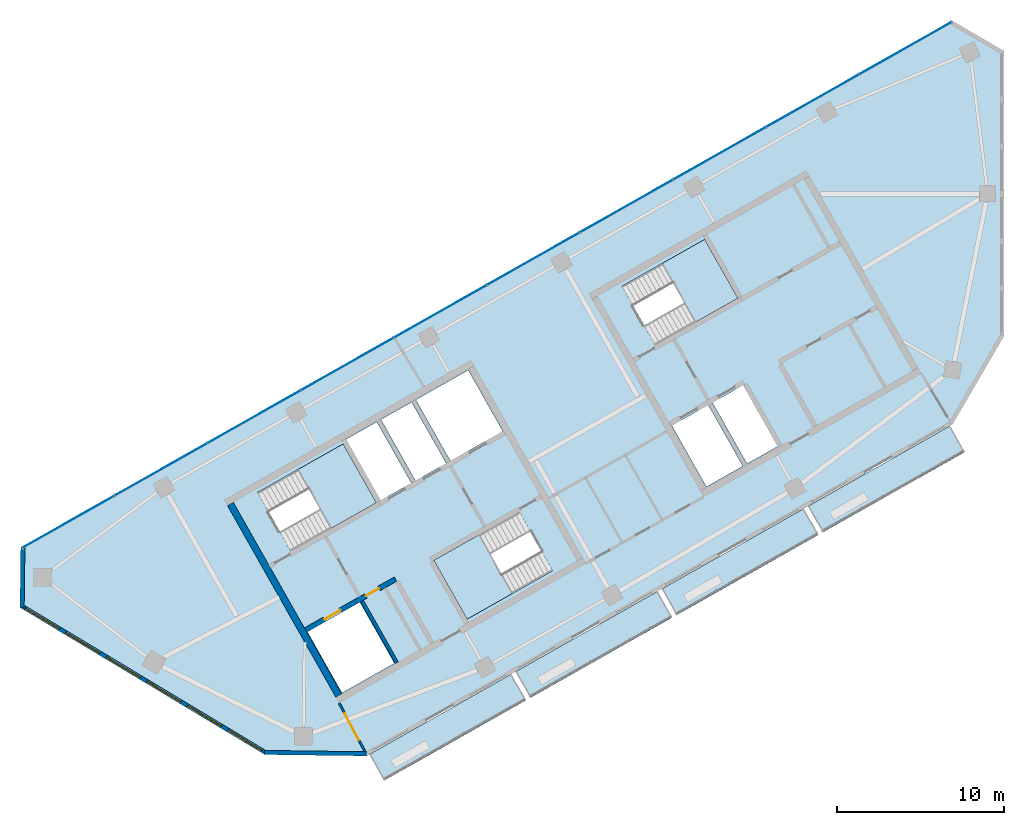
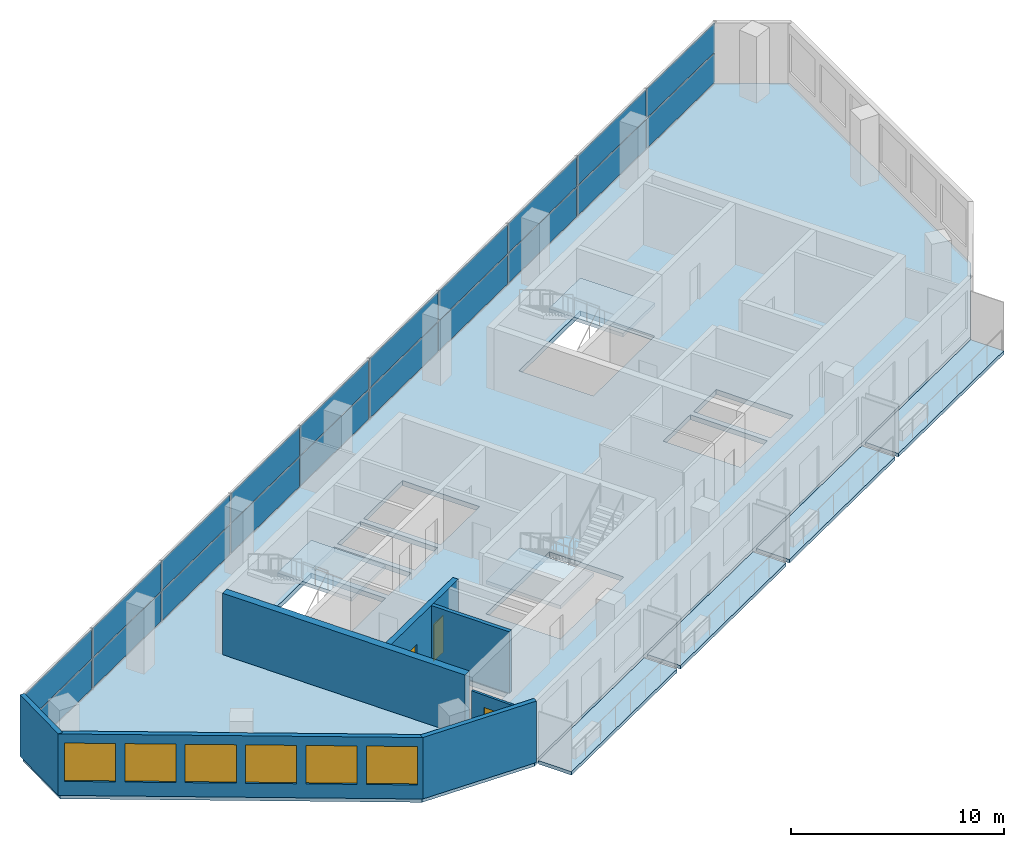
# One storey, part 5 of 10: 20 plates, 8 slabs, 7 walls, 6 windows, 3 doors, 9 openings, 4 elements without a shape of their own.
"""IFC4 building model written with IfcOpenShell, lengths in metres."""

from ifc_helpers import new_model, si_unit, direction, frame, frame_2d, origin, origin_2d, place, context, subcontext, project, spatial, polyline, rectangle, outline, extrude, material, layer, layer_set, type_object, element, fill, aggregate, save


model = new_model("IFC4")

# Units and contexts
model_context = context("Model", 3, precision=1e-05, world=origin(), true_north=direction((0.0, 1.0)))
body_context = subcontext(model_context, "Body", "Model", "MODEL_VIEW")
ifc_project = project(units=[si_unit("LENGTHUNIT", "METRE"), si_unit("AREAUNIT", "SQUARE_METRE"), si_unit("VOLUMEUNIT", "CUBIC_METRE"), si_unit("PLANEANGLEUNIT", "RADIAN"), si_unit("MASSUNIT", "GRAM", prefix="KILO")], contexts=[model_context])

# Site, building, storey
site_placement = place(None, origin())
site = spatial("IfcSite", under=ifc_project, at=site_placement, CompositionType="ELEMENT")
building_placement = place(site_placement, origin())
building = spatial("IfcBuilding", under=site, at=building_placement, Name="Binnacle Exchange Tower", CompositionType="ELEMENT")
storey_placement = place(building_placement, frame((0.0, 0.0, 327.89990234375)))
storey = spatial("IfcBuildingStorey", under=building, at=storey_placement, Name="L74", CompositionType="ELEMENT", Elevation=327.89990234375)

# Slabs
ifc_material_1 = material(Name="Concrete C35/45", Category="concrete")
ifc_layer_1 = layer(ifc_material_1, 0.199951171875)
ifc_layer_set_1 = layer_set([ifc_layer_1], Name="BALCONY SLAB 200")
slab_type_1 = type_object("IfcSlabType", Name="BALCONY SLAB 200", PredefinedType="FLOOR", material=ifc_layer_set_1)
slab_1_placement = place(storey_placement, frame((0.0, 0.0, -0.199951171875)))
element("IfcSlab", 1, at=slab_1_placement, inside=storey, type_object=slab_type_1, Name="Balcony BA-H07-00 L74", PredefinedType="FLOOR", context=body_context, shape_type="SweptSolid", body=[
    extrude(outline(polyline([(-37.90576171875, 26.410400390625), (-29.40380859375, 31.220458984375), (-28.517578125, 29.65380859375), (-37.019287109375, 24.84375), (-37.90576171875, 26.410400390625)])), origin(), (0.0, 0.0, 1.0), 0.199951171875),
])
slab_2_placement = place(storey_placement, frame((0.0, 0.0, -0.199951171875)))
element("IfcSlab", 2, at=slab_2_placement, inside=storey, type_object=slab_type_1, Name="Balcony BA-H07-01 L74", PredefinedType="FLOOR", context=body_context, shape_type="SweptSolid", body=[
    extrude(outline(polyline([(-29.142822265625, 31.3681640625), (-20.64111328125, 36.17822265625), (-19.754638671875, 34.611572265625), (-28.25634765625, 29.801513671875), (-29.142822265625, 31.3681640625)])), origin(), (0.0, 0.0, 1.0), 0.199951171875),
])
slab_3_placement = place(storey_placement, frame((0.0, 0.0, -0.199951171875)))
element("IfcSlab", 3, at=slab_3_placement, inside=storey, type_object=slab_type_1, Name="Balcony BA-H07-02 L74", PredefinedType="FLOOR", context=body_context, shape_type="SweptSolid", body=[
    extrude(outline(polyline([(-20.3798828125, 36.325927734375), (-11.878173828125, 41.135986328125), (-10.99169921875, 39.5693359375), (-19.493408203125, 34.759521484375), (-20.3798828125, 36.325927734375)])), origin(), (0.0, 0.0, 1.0), 0.199951171875),
])
slab_4_placement = place(storey_placement, frame((0.0, 0.0, -0.199951171875)))
element("IfcSlab", 4, at=slab_4_placement, inside=storey, type_object=slab_type_1, Name="Balcony BA-H07-03 L74", PredefinedType="FLOOR", context=body_context, shape_type="SweptSolid", body=[
    extrude(outline(polyline([(-11.616943359375, 41.28369140625), (-3.115234375, 46.093994140625), (-2.22900390625, 44.527099609375), (-10.730712890625, 39.717041015625), (-11.616943359375, 41.28369140625)])), origin(), (0.0, 0.0, 1.0), 0.199951171875),
])

# Curtain wall, plates
ifc_material_2 = material(Name="Bronze anodised aluminium frame", Category="aluminium")
curtain_wall_type = type_object("IfcCurtainWallType", Name="External wall - curtain wall executive floors", PredefinedType="NOTDEFINED", material=ifc_material_2)
curtain_wall_placement = place(storey_placement, origin())
curtain_wall = element("IfcCurtainWall", 5, at=curtain_wall_placement, inside=storey, type_object=curtain_wall_type, Name="External wall curtain wall CW4-H03 L74", PredefinedType="NOTDEFINED")
ifc_material_3 = material(Name="Glass", Category="glass")
ifc_layer_2 = layer(ifc_material_3, 0.031982421875)
ifc_layer_set_2 = layer_set([ifc_layer_2], Name="CW4 GLASS PANEL 32")
plate_type = type_object("IfcPlateType", Name="CW4 GLASS PANEL 32", PredefinedType="CURTAIN_PANEL", material=ifc_layer_set_2)
plate_1_placement = place(storey_placement, frame((-5.786376953125, 68.72607421875, 0.050048828125), z_axis=(0.0, 0.0, 1.0), x_axis=(-0.870355581136, -0.492423763019, 0.0)))
plate_1 = element("IfcPlate", 6, at=plate_1_placement, type_object=plate_type, Name="CW4-H03 panel 1.1", PredefinedType="CURTAIN_PANEL", context=body_context, shape_type="SweptSolid", body=[
    extrude(rectangle(XDim=6.30029296875, YDim=0.031982421875, at=origin_2d()), origin(), (0.0, 0.0, 1.0), 1.68505859375),
])
plate_2_placement = place(storey_placement, frame((-5.786376953125, 68.72607421875, 1.78515625), z_axis=(0.0, 0.0, 1.0), x_axis=(-0.870355581136, -0.492423763019, 0.0)))
plate_2 = element("IfcPlate", 7, at=plate_2_placement, type_object=plate_type, Name="CW4-H03 panel 1.2", PredefinedType="CURTAIN_PANEL", context=body_context, shape_type="SweptSolid", body=[
    extrude(rectangle(XDim=6.30029296875, YDim=0.031982421875, at=origin_2d()), origin(), (0.0, 0.0, 1.0), 1.68505859375),
])
plate_3_placement = place(storey_placement, frame((-11.345947265625, 65.580810546875, 0.050048828125), z_axis=(0.0, 0.0, 1.0), x_axis=(-0.870355581136, -0.492423763019, 0.0)))
plate_3 = element("IfcPlate", 8, at=plate_3_placement, type_object=plate_type, Name="CW4-H03 panel 2.1", PredefinedType="CURTAIN_PANEL", context=body_context, shape_type="SweptSolid", body=[
    extrude(rectangle(XDim=6.335205078125, YDim=0.031982421875, at=origin_2d()), origin(), (0.0, 0.0, 1.0), 1.68505859375),
])
plate_4_placement = place(storey_placement, frame((-11.345947265625, 65.580810546875, 1.78515625), z_axis=(0.0, 0.0, 1.0), x_axis=(-0.870355581136, -0.492423763019, 0.0)))
plate_4 = element("IfcPlate", 9, at=plate_4_placement, type_object=plate_type, Name="CW4-H03 panel 2.2", PredefinedType="CURTAIN_PANEL", context=body_context, shape_type="SweptSolid", body=[
    extrude(rectangle(XDim=6.335205078125, YDim=0.031982421875, at=origin_2d()), origin(), (0.0, 0.0, 1.0), 1.68505859375),
])
plate_5_placement = place(storey_placement, frame((-16.9208984375, 62.426513671875, 0.050048828125), z_axis=(0.0, 0.0, 1.0), x_axis=(-0.870355581136, -0.492423763019, 0.0)))
plate_5 = element("IfcPlate", 10, at=plate_5_placement, type_object=plate_type, Name="CW4-H03 panel 3.1", PredefinedType="CURTAIN_PANEL", context=body_context, shape_type="SweptSolid", body=[
    extrude(rectangle(XDim=6.335205078125, YDim=0.031982421875, at=origin_2d()), origin(), (0.0, 0.0, 1.0), 1.68505859375),
])
plate_6_placement = place(storey_placement, frame((-16.9208984375, 62.426513671875, 1.78515625), z_axis=(0.0, 0.0, 1.0), x_axis=(-0.870355581136, -0.492423763019, 0.0)))
plate_6 = element("IfcPlate", 11, at=plate_6_placement, type_object=plate_type, Name="CW4-H03 panel 3.2", PredefinedType="CURTAIN_PANEL", context=body_context, shape_type="SweptSolid", body=[
    extrude(rectangle(XDim=6.335205078125, YDim=0.031982421875, at=origin_2d()), origin(), (0.0, 0.0, 1.0), 1.68505859375),
])
plate_7_placement = place(storey_placement, frame((-22.49560546875, 59.2724609375, 0.050048828125), z_axis=(0.0, 0.0, 1.0), x_axis=(-0.870355581136, -0.492423763019, 0.0)))
plate_7 = element("IfcPlate", 12, at=plate_7_placement, type_object=plate_type, Name="CW4-H03 panel 4.1", PredefinedType="CURTAIN_PANEL", context=body_context, shape_type="SweptSolid", body=[
    extrude(rectangle(XDim=6.335205078125, YDim=0.031982421875, at=origin_2d()), origin(), (0.0, 0.0, 1.0), 1.68505859375),
])
plate_8_placement = place(storey_placement, frame((-22.49560546875, 59.2724609375, 1.78515625), z_axis=(0.0, 0.0, 1.0), x_axis=(-0.870355581136, -0.492423763019, 0.0)))
plate_8 = element("IfcPlate", 13, at=plate_8_placement, type_object=plate_type, Name="CW4-H03 panel 4.2", PredefinedType="CURTAIN_PANEL", context=body_context, shape_type="SweptSolid", body=[
    extrude(rectangle(XDim=6.335205078125, YDim=0.031982421875, at=origin_2d()), origin(), (0.0, 0.0, 1.0), 1.68505859375),
])
plate_9_placement = place(storey_placement, frame((-28.070556640625, 56.118408203125, 0.050048828125), z_axis=(0.0, 0.0, 1.0), x_axis=(-0.870355581136, -0.492423763019, 0.0)))
plate_9 = element("IfcPlate", 14, at=plate_9_placement, type_object=plate_type, Name="CW4-H03 panel 5.1", PredefinedType="CURTAIN_PANEL", context=body_context, shape_type="SweptSolid", body=[
    extrude(rectangle(XDim=6.335205078125, YDim=0.031982421875, at=origin_2d()), origin(), (0.0, 0.0, 1.0), 1.68505859375),
])
plate_10_placement = place(storey_placement, frame((-28.070556640625, 56.118408203125, 1.78515625), z_axis=(0.0, 0.0, 1.0), x_axis=(-0.870355581136, -0.492423763019, 0.0)))
plate_10 = element("IfcPlate", 15, at=plate_10_placement, type_object=plate_type, Name="CW4-H03 panel 5.2", PredefinedType="CURTAIN_PANEL", context=body_context, shape_type="SweptSolid", body=[
    extrude(rectangle(XDim=6.335205078125, YDim=0.031982421875, at=origin_2d()), origin(), (0.0, 0.0, 1.0), 1.68505859375),
])
plate_11_placement = place(storey_placement, frame((-33.6455078125, 52.96435546875, 0.050048828125), z_axis=(0.0, 0.0, 1.0), x_axis=(-0.870355581136, -0.492423763019, 0.0)))
plate_11 = element("IfcPlate", 16, at=plate_11_placement, type_object=plate_type, Name="CW4-H03 panel 6.1", PredefinedType="CURTAIN_PANEL", context=body_context, shape_type="SweptSolid", body=[
    extrude(rectangle(XDim=6.335205078125, YDim=0.031982421875, at=origin_2d()), origin(), (0.0, 0.0, 1.0), 1.68505859375),
])
plate_12_placement = place(storey_placement, frame((-33.6455078125, 52.96435546875, 1.78515625), z_axis=(0.0, 0.0, 1.0), x_axis=(-0.870355581136, -0.492423763019, 0.0)))
plate_12 = element("IfcPlate", 17, at=plate_12_placement, type_object=plate_type, Name="CW4-H03 panel 6.2", PredefinedType="CURTAIN_PANEL", context=body_context, shape_type="SweptSolid", body=[
    extrude(rectangle(XDim=6.335205078125, YDim=0.031982421875, at=origin_2d()), origin(), (0.0, 0.0, 1.0), 1.68505859375),
])
plate_13_placement = place(storey_placement, frame((-39.22021484375, 49.810302734375, 0.050048828125), z_axis=(0.0, 0.0, 1.0), x_axis=(-0.870355581136, -0.492423763019, 0.0)))
plate_13 = element("IfcPlate", 18, at=plate_13_placement, type_object=plate_type, Name="CW4-H03 panel 7.1", PredefinedType="CURTAIN_PANEL", context=body_context, shape_type="SweptSolid", body=[
    extrude(rectangle(XDim=6.335205078125, YDim=0.031982421875, at=origin_2d()), origin(), (0.0, 0.0, 1.0), 1.68505859375),
])
plate_14_placement = place(storey_placement, frame((-39.22021484375, 49.810302734375, 1.78515625), z_axis=(0.0, 0.0, 1.0), x_axis=(-0.870355581136, -0.492423763019, 0.0)))
plate_14 = element("IfcPlate", 19, at=plate_14_placement, type_object=plate_type, Name="CW4-H03 panel 7.2", PredefinedType="CURTAIN_PANEL", context=body_context, shape_type="SweptSolid", body=[
    extrude(rectangle(XDim=6.335205078125, YDim=0.031982421875, at=origin_2d()), origin(), (0.0, 0.0, 1.0), 1.68505859375),
])
plate_15_placement = place(storey_placement, frame((-44.795166015625, 46.656005859375, 0.050048828125), z_axis=(0.0, 0.0, 1.0), x_axis=(-0.870355581136, -0.492423763019, 0.0)))
plate_15 = element("IfcPlate", 20, at=plate_15_placement, type_object=plate_type, Name="CW4-H03 panel 8.1", PredefinedType="CURTAIN_PANEL", context=body_context, shape_type="SweptSolid", body=[
    extrude(rectangle(XDim=6.335205078125, YDim=0.031982421875, at=origin_2d()), origin(), (0.0, 0.0, 1.0), 1.68505859375),
])
plate_16_placement = place(storey_placement, frame((-44.795166015625, 46.656005859375, 1.78515625), z_axis=(0.0, 0.0, 1.0), x_axis=(-0.870355581136, -0.492423763019, 0.0)))
plate_16 = element("IfcPlate", 21, at=plate_16_placement, type_object=plate_type, Name="CW4-H03 panel 8.2", PredefinedType="CURTAIN_PANEL", context=body_context, shape_type="SweptSolid", body=[
    extrude(rectangle(XDim=6.335205078125, YDim=0.031982421875, at=origin_2d()), origin(), (0.0, 0.0, 1.0), 1.68505859375),
])
plate_17_placement = place(storey_placement, frame((-50.369873046875, 43.501953125, 0.050048828125), z_axis=(0.0, 0.0, 1.0), x_axis=(-0.870355581136, -0.492423763019, 0.0)))
plate_17 = element("IfcPlate", 22, at=plate_17_placement, type_object=plate_type, Name="CW4-H03 panel 9.1", PredefinedType="CURTAIN_PANEL", context=body_context, shape_type="SweptSolid", body=[
    extrude(rectangle(XDim=6.335205078125, YDim=0.031982421875, at=origin_2d()), origin(), (0.0, 0.0, 1.0), 1.68505859375),
])
plate_18_placement = place(storey_placement, frame((-50.369873046875, 43.501953125, 1.78515625), z_axis=(0.0, 0.0, 1.0), x_axis=(-0.870355581136, -0.492423763019, 0.0)))
plate_18 = element("IfcPlate", 23, at=plate_18_placement, type_object=plate_type, Name="CW4-H03 panel 9.2", PredefinedType="CURTAIN_PANEL", context=body_context, shape_type="SweptSolid", body=[
    extrude(rectangle(XDim=6.335205078125, YDim=0.031982421875, at=origin_2d()), origin(), (0.0, 0.0, 1.0), 1.68505859375),
])
plate_19_placement = place(storey_placement, frame((-55.9296875, 40.3564453125, 0.050048828125), z_axis=(0.0, 0.0, 1.0), x_axis=(-0.870355581136, -0.492423763019, 0.0)))
plate_19 = element("IfcPlate", 24, at=plate_19_placement, type_object=plate_type, Name="CW4-H03 panel 10.1", PredefinedType="CURTAIN_PANEL", context=body_context, shape_type="SweptSolid", body=[
    extrude(rectangle(XDim=6.30029296875, YDim=0.031982421875, at=origin_2d()), origin(), (0.0, 0.0, 1.0), 1.68505859375),
])
plate_20_placement = place(storey_placement, frame((-55.9296875, 40.3564453125, 1.78515625), z_axis=(0.0, 0.0, 1.0), x_axis=(-0.870355581136, -0.492423763019, 0.0)))
plate_20 = element("IfcPlate", 25, at=plate_20_placement, type_object=plate_type, Name="CW4-H03 panel 10.2", PredefinedType="CURTAIN_PANEL", context=body_context, shape_type="SweptSolid", body=[
    extrude(rectangle(XDim=6.30029296875, YDim=0.031982421875, at=origin_2d()), origin(), (0.0, 0.0, 1.0), 1.68505859375),
])
aggregate(curtain_wall, [plate_1, plate_2, plate_3, plate_4, plate_5, plate_6, plate_7, plate_8, plate_9, plate_10, plate_11, plate_12, plate_13, plate_14, plate_15, plate_16, plate_17, plate_18, plate_19, plate_20])

# Slab
ifc_layer_3 = layer(ifc_material_1, 0.280029296875)
ifc_layer_set_3 = layer_set([ifc_layer_3], Name="Floor slab 280 Concrete C35/45")
slab_type_2 = type_object("IfcSlabType", Name="Floor slab 280 Concrete C35/45", PredefinedType="FLOOR", material=ifc_layer_set_3)
slab_5_placement = place(storey_placement, frame((0.0, 0.0, -0.27978515625)))
element("IfcSlab", 26, at=slab_5_placement, inside=storey, type_object=slab_type_2, Name="S:SL:L74:01", PredefinedType="FLOOR", context=body_context, shape_type="SweptSolid", body=[
    extrude(outline(polyline([(-38.097900390625, 26.4453125), (-44.14404296875, 26.5244140625), (-58.716064453125, 35.280029296875), (-58.669921875, 38.80615234375), (-3.046142578125, 70.276611328125), (0.0, 68.5), (0.0, 51.5), (-3.046142578125, 46.276611328125), (-38.097900390625, 26.4453125)]), holes=[polyline([(-38.4794921875, 35.529296875), (-41.61279296875, 33.756591796875), (-39.544677734375, 30.10107421875), (-36.411376953125, 31.873779296875), (-38.4794921875, 35.529296875)]), polyline([(-32.04638671875, 34.515625), (-26.9287109375, 37.4111328125), (-28.923095703125, 40.93603515625), (-34.040771484375, 38.04052734375), (-32.04638671875, 34.515625)]), polyline([(-39.480712890625, 45.01611328125), (-44.598388671875, 42.12060546875), (-42.604248046875, 38.595703125), (-37.486572265625, 41.4912109375), (-39.480712890625, 45.01611328125)]), polyline([(-37.4658203125, 46.32861328125), (-39.293701171875, 45.29443359375), (-37.225341796875, 41.638916015625), (-35.397705078125, 42.673095703125), (-37.4658203125, 46.32861328125)]), polyline([(-17.598876953125, 47.343017578125), (-19.77490234375, 46.11181640625), (-17.70654296875, 42.456298828125), (-15.53076171875, 43.6875), (-17.598876953125, 47.343017578125)]), polyline([(-35.376953125, 47.51025390625), (-37.20458984375, 46.476318359375), (-35.136474609375, 42.82080078125), (-33.308837890625, 43.854736328125), (-35.376953125, 47.51025390625)]), polyline([(-15.510009765625, 48.52490234375), (-17.337890625, 47.49072265625), (-15.26953125, 43.835205078125), (-13.44189453125, 44.869384765625), (-15.510009765625, 48.52490234375)]), polyline([(-29.914306640625, 45.775390625), (-31.982666015625, 49.430908203125), (-35.115966796875, 47.657958984375), (-33.047607421875, 44.00244140625), (-29.914306640625, 45.775390625)]), polyline([(-15.822509765625, 53.748046875), (-17.81689453125, 57.27294921875), (-22.760498046875, 54.47607421875), (-20.76611328125, 50.950927734375), (-15.822509765625, 53.748046875)])]), origin(), (0.0, 0.0, 1.0), 0.27978515625),
])

# Stair, slab
stair_type = type_object("IfcStairType", Name="STAIR 22 RISERS 173", PredefinedType="HALF_TURN_STAIR", material=ifc_material_1)
stair_1_placement = place(storey_placement, origin())
stair_1 = element("IfcStair", 27, at=stair_1_placement, inside=storey, type_object=stair_type, Name="L74 Escape stair A1", PredefinedType="HALF_TURN_STAIR")
ifc_layer_4 = layer(ifc_material_1, 0.199951171875)
ifc_layer_set_4 = layer_set([ifc_layer_4], Name="STAIR LANDING 200")
slab_type_3 = type_object("IfcSlabType", Name="STAIR LANDING 200", PredefinedType="LANDING", material=ifc_layer_set_4)
slab_6_placement = place(storey_placement, frame((0.0, 0.0, 1.7001953125)))
slab_6 = element("IfcSlab", 28, at=slab_6_placement, type_object=slab_type_3, Name="STA1 landing 1", PredefinedType="LANDING", context=body_context, shape_type="SweptSolid", body=[
    extrude(outline(polyline([(-40.2021484375, 39.954833984375), (-37.486572265625, 41.4912109375), (-39.48095703125, 45.01611328125), (-42.1962890625, 43.479736328125), (-40.2021484375, 39.954833984375)])), origin(), (0.0, 0.0, 1.0), 0.199951171875),
])
aggregate(stair_1, [slab_6])

stair_2_placement = place(storey_placement, origin())
stair_2 = element("IfcStair", 29, at=stair_2_placement, inside=storey, type_object=stair_type, Name="L74 Escape stair A2", PredefinedType="HALF_TURN_STAIR")
slab_7_placement = place(storey_placement, frame((0.0, 0.0, 1.7001953125)))
slab_7 = element("IfcSlab", 30, at=slab_7_placement, type_object=slab_type_3, Name="STA2 landing 1", PredefinedType="LANDING", context=body_context, shape_type="SweptSolid", body=[
    extrude(outline(polyline([(-31.3251953125, 39.576904296875), (-34.040771484375, 38.04052734375), (-32.04638671875, 34.515625), (-29.330810546875, 36.052001953125), (-31.3251953125, 39.576904296875)])), origin(), (0.0, 0.0, 1.0), 0.199951171875),
])
aggregate(stair_2, [slab_7])

stair_3_placement = place(storey_placement, origin())
stair_3 = element("IfcStair", 31, at=stair_3_placement, inside=storey, type_object=stair_type, Name="L74 Escape stair C1", PredefinedType="HALF_TURN_STAIR")
slab_8_placement = place(storey_placement, frame((0.0, 0.0, 1.7001953125)))
slab_8 = element("IfcSlab", 32, at=slab_8_placement, type_object=slab_type_3, Name="STC1 landing 1", PredefinedType="LANDING", context=body_context, shape_type="SweptSolid", body=[
    extrude(outline(polyline([(-18.364013671875, 52.31005859375), (-15.822509765625, 53.748046875), (-17.81689453125, 57.27294921875), (-20.3583984375, 55.8349609375), (-18.364013671875, 52.31005859375)])), origin(), (0.0, 0.0, 1.0), 0.199951171875),
])
aggregate(stair_3, [slab_8])

# Wall, openings, doors
ifc_material_4 = material(Name="Concrete C70/85", Category="concrete")
ifc_layer_5 = layer(ifc_material_4, 0.300048828125)
ifc_layer_set_5 = layer_set([ifc_layer_5], Name="Core wall - front 300")
wall_type_1 = type_object("IfcWallType", Name="Core wall - front 300", PredefinedType="SOLIDWALL", material=ifc_layer_set_5)
wall_1_placement = place(storey_placement, frame((-41.72998046875, 33.862548828125, 0.0), z_axis=(0.0, 0.0, 1.0), x_axis=(0.870350800578, 0.492432212525, 0.0)))
wall_1 = element("IfcWall", 33, at=wall_1_placement, inside=storey, type_object=wall_type_1, Name="Core wall CRWA2", PredefinedType="SOLIDWALL", context=body_context, shape_type="SweptSolid", body=[
    extrude(rectangle(XDim=6.19970703125, YDim=0.300048828125, at=frame_2d((3.099853515625, 0.0))), origin(), (0.0, 0.0, 1.0), 3.52001953125),
])
opening_1_placement = place(wall_1_placement, frame((1.300048828125, 0.0, 0.0)))
opening_1 = element("IfcOpeningElement", 34, at=opening_1_placement, cuts=wall_1, Name="Opening LD12", PredefinedType="OPENING", context=body_context, shape_type="SweptSolid", body=[
    extrude(rectangle(XDim=1.10009765625, YDim=2.10009765625, at=frame_2d((0.550048828125, 1.050048828125))), frame((0.0, 0.159912109375, 0.0), z_axis=(0.0, -1.0, 0.0), x_axis=(1.0, 0.0, 0.0)), (0.0, 0.0, 1.0), 0.320068359375),
])
opening_2_placement = place(wall_1_placement, frame((4.14990234375, 0.0, 0.0)))
opening_2 = element("IfcOpeningElement", 35, at=opening_2_placement, cuts=wall_1, Name="Opening DA14", PredefinedType="OPENING", context=body_context, shape_type="SweptSolid", body=[
    extrude(rectangle(XDim=0.89990234375, YDim=2.10009765625, at=frame_2d((0.449951171875, 1.050048828125))), frame((0.0, 0.159912109375, 0.0), z_axis=(0.0, -1.0, 0.0), x_axis=(1.0, 0.0, 0.0)), (0.0, 0.0, 1.0), 0.320068359375),
])
ifc_material_5 = material(Name="Steel door leaf", Category="steel")
door_type_1 = type_object("IfcDoorType", Name="Fire door - lift landing 1100", OperationType="NOTDEFINED", PredefinedType="DOOR", material=ifc_material_5)
door_1_placement = place(opening_1_placement, origin())
door_1 = element("IfcDoor", 36, at=door_1_placement, inside=storey, type_object=door_type_1, Name="Landing door LD12 L74", OperationType="DOUBLE_DOOR_SLIDING", OverallHeight=2.10009765625, OverallWidth=1.10009765625, PredefinedType="DOOR", context=body_context, shape_type="SweptSolid", body=[
    extrude(rectangle(XDim=1.10009765625, YDim=2.10009765625, at=frame_2d((0.550048828125, 1.050048828125))), frame((0.0, 0.02490234375, 0.0), z_axis=(0.0, -1.0, 0.0), x_axis=(1.0, 0.0, 0.0)), (0.0, 0.0, 1.0), 0.050048828125),
])
fill(opening_1, door_1)
door_type_2 = type_object("IfcDoorType", Name="Fire door 900", OperationType="NOTDEFINED", PredefinedType="DOOR", material=ifc_material_5)
door_2_placement = place(opening_2_placement, frame((0.89990234375, 0.0, 0.0), z_axis=(0.0, 0.0, 1.0), x_axis=(-1.0, 0.0, 0.0)))
door_2 = element("IfcDoor", 37, at=door_2_placement, inside=storey, type_object=door_type_2, Name="Core room door COMMS RISER ROOM", OperationType="SINGLE_SWING_LEFT", OverallHeight=2.10009765625, OverallWidth=0.89990234375, PredefinedType="DOOR", context=body_context, shape_type="SweptSolid", body=[
    extrude(rectangle(XDim=0.89990234375, YDim=2.10009765625, at=frame_2d((0.449951171875, 1.050048828125))), frame((0.0, 0.02490234375, 0.0), z_axis=(0.0, -1.0, 0.0), x_axis=(1.0, 0.0, 0.0)), (0.0, 0.0, 1.0), 0.050048828125),
])
fill(opening_2, door_2)

# Walls
ifc_layer_6 = layer(ifc_material_4, 0.39990234375)
ifc_layer_set_6 = layer_set([ifc_layer_6], Name="Core wall - outer 400")
wall_type_2 = type_object("IfcWallType", Name="Core wall - outer 400", PredefinedType="SOLIDWALL", material=ifc_layer_set_6)
wall_2_placement = place(storey_placement, frame((-46.237548828125, 41.423095703125, 0.0), z_axis=(0.0, 0.0, 1.0), x_axis=(0.492421663121, -0.870356769198, 0.0)))
element("IfcWall", 38, at=wall_2_placement, inside=storey, type_object=wall_type_2, Name="Core wall CRWA7", PredefinedType="SOLIDWALL", context=body_context, shape_type="SweptSolid", body=[
    extrude(rectangle(XDim=13.199951171875, YDim=0.39990234375, at=frame_2d((6.60009765625, 0.0))), origin(), (0.0, 0.0, 1.0), 3.52001953125),
])
ifc_material_6 = material(Name="Bronze aluminium cladding", Category="aluminium")
ifc_layer_7 = layer(ifc_material_6, 0.25)
ifc_layer_set_7 = layer_set([ifc_layer_7], Name="External wall - window wall 250")
wall_type_3 = type_object("IfcWallType", Name="External wall - window wall 250", PredefinedType="STANDARD", material=ifc_layer_set_7)
wall_3_placement = place(storey_placement, frame((-58.717041015625, 35.208251953125, 0.0), z_axis=(0.0, 0.0, 1.0), x_axis=(0.01310512158, 0.999914124207, 0.0)))
element("IfcWall", 39, at=wall_3_placement, inside=storey, type_object=wall_type_3, Name="External wall EW-H04 L74", PredefinedType="STANDARD", context=body_context, shape_type="SweptSolid", body=[
    extrude(rectangle(XDim=3.669921875, YDim=0.25, at=frame_2d((1.8349609375, 0.0))), origin(), (0.0, 0.0, 1.0), 3.52001953125),
])

# Wall, openings, windows
wall_4_placement = place(storey_placement, frame((-44.115234375, 26.507080078125, 0.0), z_axis=(0.0, 0.0, 1.0), x_axis=(-0.857166583633, 0.515039268311, 0.0)))
wall_4 = element("IfcWall", 40, at=wall_4_placement, inside=storey, type_object=wall_type_3, Name="External wall EW-H05 L74", PredefinedType="STANDARD", context=body_context, shape_type="SweptSolid", body=[
    extrude(rectangle(XDim=17.105712890625, YDim=0.25, at=frame_2d((8.552734375, 0.0))), origin(), (0.0, 0.0, 1.0), 3.52001953125),
])
opening_3_placement = place(wall_4_placement, frame((14.4169921875, 0.0, 0.800048828125)))
opening_3 = element("IfcOpeningElement", 41, at=opening_3_placement, cuts=wall_4, Name="Opening WR2", PredefinedType="OPENING", context=body_context, shape_type="SweptSolid", body=[
    extrude(rectangle(XDim=2.39990234375, YDim=2.199951171875, at=frame_2d((1.199951171875, 1.10009765625))), frame((0.0, 0.135009765625, 0.0), z_axis=(0.0, -1.0, 0.0), x_axis=(1.0, 0.0, 0.0)), (0.0, 0.0, 1.0), 0.27001953125),
])
opening_4_placement = place(wall_4_placement, frame((11.583740234375, 0.0, 0.800048828125)))
opening_4 = element("IfcOpeningElement", 42, at=opening_4_placement, cuts=wall_4, Name="Opening WR2", PredefinedType="OPENING", context=body_context, shape_type="SweptSolid", body=[
    extrude(rectangle(XDim=2.39990234375, YDim=2.199951171875, at=frame_2d((1.199951171875, 1.10009765625))), frame((0.0, 0.135009765625, 0.0), z_axis=(0.0, -1.0, 0.0), x_axis=(1.0, 0.0, 0.0)), (0.0, 0.0, 1.0), 0.27001953125),
])
opening_5_placement = place(wall_4_placement, frame((8.75048828125, 0.0, 0.800048828125)))
opening_5 = element("IfcOpeningElement", 43, at=opening_5_placement, cuts=wall_4, Name="Opening WR2", PredefinedType="OPENING", context=body_context, shape_type="SweptSolid", body=[
    extrude(rectangle(XDim=2.39990234375, YDim=2.199951171875, at=frame_2d((1.199951171875, 1.10009765625))), frame((0.0, 0.135009765625, 0.0), z_axis=(0.0, -1.0, 0.0), x_axis=(1.0, 0.0, 0.0)), (0.0, 0.0, 1.0), 0.27001953125),
])
opening_6_placement = place(wall_4_placement, frame((5.9169921875, 0.0, 0.800048828125)))
opening_6 = element("IfcOpeningElement", 44, at=opening_6_placement, cuts=wall_4, Name="Opening WR2", PredefinedType="OPENING", context=body_context, shape_type="SweptSolid", body=[
    extrude(rectangle(XDim=2.39990234375, YDim=2.199951171875, at=frame_2d((1.199951171875, 1.10009765625))), frame((0.0, 0.135009765625, 0.0), z_axis=(0.0, -1.0, 0.0), x_axis=(1.0, 0.0, 0.0)), (0.0, 0.0, 1.0), 0.27001953125),
])
opening_7_placement = place(wall_4_placement, frame((3.083740234375, 0.0, 0.800048828125)))
opening_7 = element("IfcOpeningElement", 45, at=opening_7_placement, cuts=wall_4, Name="Opening WR2", PredefinedType="OPENING", context=body_context, shape_type="SweptSolid", body=[
    extrude(rectangle(XDim=2.39990234375, YDim=2.199951171875, at=frame_2d((1.199951171875, 1.10009765625))), frame((0.0, 0.135009765625, 0.0), z_axis=(0.0, -1.0, 0.0), x_axis=(1.0, 0.0, 0.0)), (0.0, 0.0, 1.0), 0.27001953125),
])
opening_8_placement = place(wall_4_placement, frame((0.25048828125, 0.0, 0.800048828125)))
opening_8 = element("IfcOpeningElement", 46, at=opening_8_placement, cuts=wall_4, Name="Opening WR2", PredefinedType="OPENING", context=body_context, shape_type="SweptSolid", body=[
    extrude(rectangle(XDim=2.39990234375, YDim=2.199951171875, at=frame_2d((1.199951171875, 1.10009765625))), frame((0.0, 0.135009765625, 0.0), z_axis=(0.0, -1.0, 0.0), x_axis=(1.0, 0.0, 0.0)), (0.0, 0.0, 1.0), 0.27001953125),
])
window_type = type_object("IfcWindowType", Name="WR2 WINDOW 2400x2200", PartitioningType="SINGLE_PANEL", PredefinedType="WINDOW", material=ifc_material_2)
window_1_placement = place(opening_3_placement, origin())
window_1 = element("IfcWindow", 47, at=window_1_placement, inside=storey, type_object=window_type, Name="Window WR2 L74", OverallHeight=2.199951171875, OverallWidth=2.39990234375, PartitioningType="SINGLE_PANEL", PredefinedType="WINDOW", context=body_context, shape_type="SweptSolid", body=[
    extrude(rectangle(XDim=2.39990234375, YDim=2.199951171875, at=frame_2d((1.199951171875, 1.10009765625))), frame((0.0, 0.030029296875, 0.0), z_axis=(0.0, -1.0, 0.0), x_axis=(1.0, 0.0, 0.0)), (0.0, 0.0, 1.0), 0.06005859375),
])
fill(opening_3, window_1)
window_2_placement = place(opening_4_placement, origin())
window_2 = element("IfcWindow", 48, at=window_2_placement, inside=storey, type_object=window_type, Name="Window WR2 L74", OverallHeight=2.199951171875, OverallWidth=2.39990234375, PartitioningType="SINGLE_PANEL", PredefinedType="WINDOW", context=body_context, shape_type="SweptSolid", body=[
    extrude(rectangle(XDim=2.39990234375, YDim=2.199951171875, at=frame_2d((1.199951171875, 1.10009765625))), frame((0.0, 0.030029296875, 0.0), z_axis=(0.0, -1.0, 0.0), x_axis=(1.0, 0.0, 0.0)), (0.0, 0.0, 1.0), 0.06005859375),
])
fill(opening_4, window_2)
window_3_placement = place(opening_5_placement, origin())
window_3 = element("IfcWindow", 49, at=window_3_placement, inside=storey, type_object=window_type, Name="Window WR2 L74", OverallHeight=2.199951171875, OverallWidth=2.39990234375, PartitioningType="SINGLE_PANEL", PredefinedType="WINDOW", context=body_context, shape_type="SweptSolid", body=[
    extrude(rectangle(XDim=2.39990234375, YDim=2.199951171875, at=frame_2d((1.199951171875, 1.10009765625))), frame((0.0, 0.030029296875, 0.0), z_axis=(0.0, -1.0, 0.0), x_axis=(1.0, 0.0, 0.0)), (0.0, 0.0, 1.0), 0.06005859375),
])
fill(opening_5, window_3)
window_4_placement = place(opening_6_placement, origin())
window_4 = element("IfcWindow", 50, at=window_4_placement, inside=storey, type_object=window_type, Name="Window WR2 L74", OverallHeight=2.199951171875, OverallWidth=2.39990234375, PartitioningType="SINGLE_PANEL", PredefinedType="WINDOW", context=body_context, shape_type="SweptSolid", body=[
    extrude(rectangle(XDim=2.39990234375, YDim=2.199951171875, at=frame_2d((1.199951171875, 1.10009765625))), frame((0.0, 0.030029296875, 0.0), z_axis=(0.0, -1.0, 0.0), x_axis=(1.0, 0.0, 0.0)), (0.0, 0.0, 1.0), 0.06005859375),
])
fill(opening_6, window_4)
window_5_placement = place(opening_7_placement, origin())
window_5 = element("IfcWindow", 51, at=window_5_placement, inside=storey, type_object=window_type, Name="Window WR2 L74", OverallHeight=2.199951171875, OverallWidth=2.39990234375, PartitioningType="SINGLE_PANEL", PredefinedType="WINDOW", context=body_context, shape_type="SweptSolid", body=[
    extrude(rectangle(XDim=2.39990234375, YDim=2.199951171875, at=frame_2d((1.199951171875, 1.10009765625))), frame((0.0, 0.030029296875, 0.0), z_axis=(0.0, -1.0, 0.0), x_axis=(1.0, 0.0, 0.0)), (0.0, 0.0, 1.0), 0.06005859375),
])
fill(opening_7, window_5)
window_6_placement = place(opening_8_placement, origin())
window_6 = element("IfcWindow", 52, at=window_6_placement, inside=storey, type_object=window_type, Name="Window WR2 L74", OverallHeight=2.199951171875, OverallWidth=2.39990234375, PartitioningType="SINGLE_PANEL", PredefinedType="WINDOW", context=body_context, shape_type="SweptSolid", body=[
    extrude(rectangle(XDim=2.39990234375, YDim=2.199951171875, at=frame_2d((1.199951171875, 1.10009765625))), frame((0.0, 0.030029296875, 0.0), z_axis=(0.0, -1.0, 0.0), x_axis=(1.0, 0.0, 0.0)), (0.0, 0.0, 1.0), 0.06005859375),
])
fill(opening_8, window_6)

# Wall
wall_5_placement = place(storey_placement, frame((-38.06396484375, 26.44482421875, 0.0), z_axis=(0.0, 0.0, 1.0), x_axis=(-0.999914239143, 0.013096349097, 0.0)))
element("IfcWall", 53, at=wall_5_placement, inside=storey, type_object=wall_type_3, Name="External wall EW-H06 L74", PredefinedType="STANDARD", context=body_context, shape_type="SweptSolid", body=[
    extrude(rectangle(XDim=6.114501953125, YDim=0.25, at=frame_2d((3.05712890625, 0.0))), origin(), (0.0, 0.0, 1.0), 3.52001953125),
])

# Wall, opening, door
ifc_material_7 = material(Name="Gypsum partition")
ifc_layer_8 = layer(ifc_material_7, 0.125)
ifc_layer_set_8 = layer_set([ifc_layer_8], Name="Partition 125")
wall_type_4 = type_object("IfcWallType", Name="Partition 125", PredefinedType="PARTITIONING", material=ifc_layer_set_8)
wall_6_placement = place(storey_placement, frame((-39.715087890625, 29.488037109375, 0.0), z_axis=(0.0, 0.0, 1.0), x_axis=(0.469248890304, -0.883065953906, 0.0)))
wall_6 = element("IfcWall", 54, at=wall_6_placement, inside=storey, type_object=wall_type_4, Name="Partition W01", PredefinedType="PARTITIONING", context=body_context, shape_type="SweptSolid", body=[
    extrude(rectangle(XDim=3.30322265625, YDim=0.125, at=frame_2d((1.651611328125, 0.0))), origin(), (0.0, 0.0, 1.0), 2.800048828125),
])
opening_9_placement = place(wall_6_placement, frame((0.699951171875, 0.0, 0.0)))
opening_9 = element("IfcOpeningElement", 55, at=opening_9_placement, cuts=wall_6, Name="Opening DL74-04", PredefinedType="OPENING", context=body_context, shape_type="SweptSolid", body=[
    extrude(rectangle(XDim=1.800048828125, YDim=2.10009765625, at=frame_2d((0.89990234375, 1.050048828125))), frame((0.0, 0.072509765625, 0.0), z_axis=(0.0, -1.0, 0.0), x_axis=(1.0, 0.0, 0.0)), (0.0, 0.0, 1.0), 0.14501953125),
])
ifc_material_8 = material(Name="Timber door leaf", Category="wood")
door_type_3 = type_object("IfcDoorType", Name="Double door 1800", OperationType="NOTDEFINED", PredefinedType="DOOR", material=ifc_material_8)
door_3_placement = place(opening_9_placement, frame((1.800048828125, 0.0, 0.0), z_axis=(0.0, 0.0, 1.0), x_axis=(-1.0, 0.0, 0.0)))
door_3 = element("IfcDoor", 56, at=door_3_placement, inside=storey, type_object=door_type_3, Name="Door DL74-04", OperationType="DOUBLE_DOOR_SINGLE_SWING", OverallHeight=2.10009765625, OverallWidth=1.800048828125, PredefinedType="DOOR", context=body_context, shape_type="SweptSolid", body=[
    extrude(rectangle(XDim=1.800048828125, YDim=2.10009765625, at=frame_2d((0.89990234375, 1.050048828125))), frame((0.0, 0.02490234375, 0.0), z_axis=(0.0, -1.0, 0.0), x_axis=(1.0, 0.0, 0.0)), (0.0, 0.0, 1.0), 0.050048828125),
])
fill(opening_9, door_3)

# Wall
ifc_material_9 = material(Name="Masonry block wall", Category="masonry")
ifc_layer_9 = layer(ifc_material_9, 0.199951171875)
ifc_layer_set_9 = layer_set([ifc_layer_9], Name="Shaft wall 200")
wall_type_5 = type_object("IfcWallType", Name="Shaft wall 200", PredefinedType="SOLIDWALL", material=ifc_layer_set_9)
wall_7_placement = place(storey_placement, frame((-38.348876953125, 35.603271484375, 0.0), z_axis=(0.0, 0.0, 1.0), x_axis=(0.492397924348, -0.870370199454, 0.0)))
element("IfcWall", 57, at=wall_7_placement, inside=storey, type_object=wall_type_5, Name="Core wall CRWA9", PredefinedType="SOLIDWALL", context=body_context, shape_type="SweptSolid", body=[
    extrude(rectangle(XDim=4.250244140625, YDim=0.199951171875, at=frame_2d((2.125, 0.0))), origin(), (0.0, 0.0, 1.0), 3.52001953125),
])

save(model, "model.ifc")
